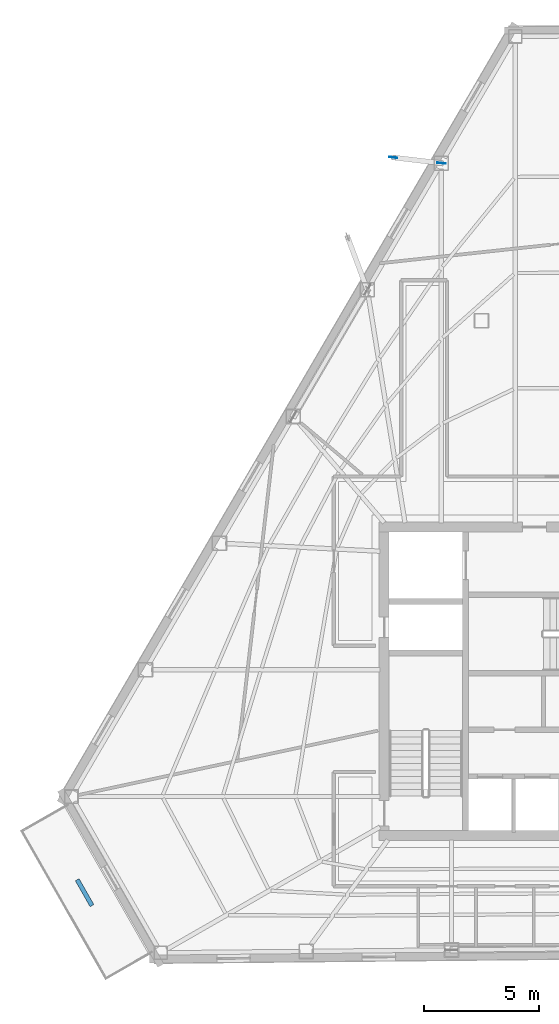
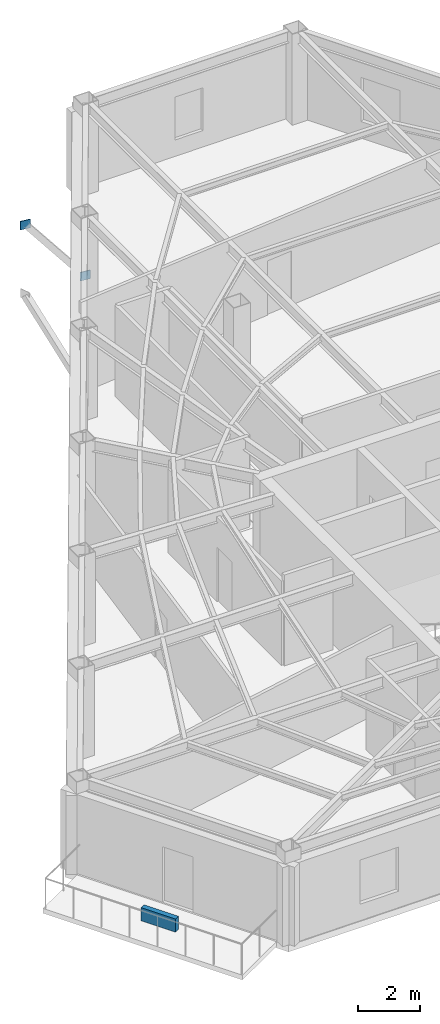
# One storey, part 6 of 11: 2 plates, 1 wall.
"""IFC4 building model written with IfcOpenShell, lengths in metres."""

import ifcopenshell
import ifcopenshell.guid

model = None  # the IFC model being written
_history = None  # IfcOwnerHistory: only IFC2X3 demands one
_inside = {}  # id of a spatial element -> (the spatial element, [elements in it])
_under = {}  # id of a project, library or spatial element -> (it, [spatial elements below it])
_declared = {}  # id of a project -> (the project, [libraries it declares])
_typed = {}  # id of a type object -> (the type object, [elements of that type])
_made_of = {}  # id of a material, layer set ... -> (it, [elements and type objects made of it])


def new_model(schema):
    """Start an empty IFC model of exactly this schema.

    Asked for "IFC4X3", IfcOpenShell would pick the latest addendum, in which some entities
    have other attributes; the version numbers below select the first issue.
    IFC2X3 requires an IfcOwnerHistory on every rooted entity: one is made here for all.
    """
    global model, _history
    if schema == "IFC4X3":
        model = ifcopenshell.file(schema_version=(4, 3, 0, 0))
    else:
        model = ifcopenshell.file(schema=schema)
    _inside.clear()
    _under.clear()
    _declared.clear()
    _typed.clear()
    _made_of.clear()
    _history = None
    if model.schema == "IFC2X3":
        org = make("IfcOrganization", Name="unknown")
        user = make(
            "IfcPersonAndOrganization",
            ThePerson=make("IfcPerson", FamilyName="unknown"),
            TheOrganization=org,
        )
        app = make(
            "IfcApplication",
            ApplicationDeveloper=org,
            Version="unknown",
            ApplicationFullName="unknown",
            ApplicationIdentifier="unknown",
        )
        _history = make(
            "IfcOwnerHistory",
            OwningUser=user,
            OwningApplication=app,
            ChangeAction="ADDED",
            CreationDate=0,
        )
    return model


def make(cls, **values):
    """One entity of the class cls with the attributes given. An attribute that is None is left unset."""
    return model.create_entity(
        cls, **{name: value for name, value in values.items() if value is not None}
    )


def rooted(cls, **values):
    """An entity with a GlobalId (a new one), such as an element, a storey or a relation."""
    return make(cls, GlobalId=ifcopenshell.guid.new(), OwnerHistory=_history, **values)


def si_unit(unit_type, name, prefix=None):
    """IfcSIUnit, for example si_unit("LENGTHUNIT", "METRE", prefix="MILLI")."""
    return make("IfcSIUnit", UnitType=unit_type, Prefix=prefix, Name=name)


def assignment(units):
    """IfcUnitAssignment: the units of a project."""
    return None if units is None else make("IfcUnitAssignment", Units=units)


def point(xyz):
    """IfcCartesianPoint."""
    return None if xyz is None else make("IfcCartesianPoint", Coordinates=xyz)


def direction(xyz):
    """IfcDirection."""
    return None if xyz is None else make("IfcDirection", DirectionRatios=xyz)


def frame(location, z_axis=None, x_axis=None):
    """IfcAxis2Placement3D, a coordinate frame: its origin and axes. An axis left out is left unset."""
    return make(
        "IfcAxis2Placement3D",
        Location=point(location),
        Axis=direction(z_axis),
        RefDirection=direction(x_axis),
    )


def frame_2d(location, x_axis=None):
    """IfcAxis2Placement2D, a coordinate frame in the plane: its origin and x axis."""
    return make(
        "IfcAxis2Placement2D", Location=point(location), RefDirection=direction(x_axis)
    )


def origin():
    """The frame at (0, 0, 0) with its axes left unset."""
    return frame((0.0, 0.0, 0.0))


def origin_2d():
    """The frame at (0, 0) in the plane with its x axis left unset."""
    return frame_2d((0.0, 0.0))


def place(relative_to, where):
    """IfcLocalPlacement: puts the frame where relative to a parent placement (None: the world)."""
    return make(
        "IfcLocalPlacement", PlacementRelTo=relative_to, RelativePlacement=where
    )


def context(
    kind, dimensions, precision=None, world=None, true_north=None, identifier=None
):
    """IfcGeometricRepresentationContext, for example the 3D "Model" context."""
    return make(
        "IfcGeometricRepresentationContext",
        ContextIdentifier=identifier,
        ContextType=kind,
        CoordinateSpaceDimension=dimensions,
        Precision=precision,
        WorldCoordinateSystem=world,
        TrueNorth=true_north,
    )


def subcontext(parent, identifier, kind, view, scale=None):
    """IfcGeometricRepresentationSubContext, for example "Body" below "Model"."""
    return make(
        "IfcGeometricRepresentationSubContext",
        ContextIdentifier=identifier,
        ContextType=kind,
        ParentContext=parent,
        TargetScale=scale,
        TargetView=view,
    )


def project(units=None, contexts=None):
    """IfcProject with its units and contexts."""
    return rooted(
        "IfcProject",
        Name="project",
        RepresentationContexts=contexts,
        UnitsInContext=assignment(units),
    )


def spatial(cls, under=None, at=None, **own):
    """A site, building, storey or space (cls), placed at a placement, below another one or the project."""
    s = rooted(cls, ObjectPlacement=at, **own)
    if under is not None:
        _under.setdefault(under.id(), (under, []))[1].append(s)
    return s


def profile(cls, at=None, kind="AREA", **sizes):
    """A parametric profile (cls). Its sizes go by their IFC names, for example OverallWidth=200.0."""
    return make(cls, ProfileType=kind, Position=at, **sizes)


def rectangle(**sizes):
    """IfcRectangleProfileDef."""
    return profile("IfcRectangleProfileDef", **sizes)


def extrude(swept, where, along, depth):
    """IfcExtrudedAreaSolid: the profile swept, set in the frame where, extruded along a direction by depth."""
    return make(
        "IfcExtrudedAreaSolid",
        SweptArea=swept,
        Position=where,
        ExtrudedDirection=direction(along),
        Depth=depth,
    )


def shape(context_of_items, identifier, shape_type, items):
    """IfcShapeRepresentation: the items that make up one representation, for example the "Body"."""
    return make(
        "IfcShapeRepresentation",
        ContextOfItems=context_of_items,
        RepresentationIdentifier=identifier,
        RepresentationType=shape_type,
        Items=items,
    )


def material(Name=None, Category=None):
    """IfcMaterial."""
    return make("IfcMaterial", Name=Name, Category=Category)


def layer(
    of_material, thickness, ventilated=None, Name=None, Category=None, Priority=None
):
    """IfcMaterialLayer: one layer of a wall or slab, of a material (None: an air gap)."""
    return make(
        "IfcMaterialLayer",
        Material=of_material,
        LayerThickness=thickness,
        IsVentilated=ventilated,
        Name=Name,
        Category=Category,
        Priority=Priority,
    )


def layer_set(layers, Name=None):
    """IfcMaterialLayerSet."""
    return make("IfcMaterialLayerSet", MaterialLayers=layers, LayerSetName=Name)


def made_of(thing, what):
    """Note that an element or type object is made of a material, layer set ...; save() writes the relation."""
    if what is not None:
        _made_of.setdefault(what.id(), (what, []))[1].append(thing)
    return thing


def type_object(cls, material=None, **own):
    """A type object (cls), such as IfcWallType, which elements share."""
    return made_of(rooted(cls, **own), material)


def element(
    cls,
    number,
    at=None,
    inside=None,
    cuts=None,
    type_object=None,
    material=None,
    context=None,
    identifier="Body",
    shape_type=None,
    held_by="IfcProductDefinitionShape",
    body=None,
    shapes=None,
    **own,
):
    """One element of the class cls, such as IfcWall. Its Tag is "e" and its number.

    at: its placement. inside: the storey or other place that contains it. cuts: it is an
    opening in that element (IfcRelVoidsElement). A single representation is given by context,
    identifier, shape_type and body (its items); several are given by shapes. held_by: the class
    of the entity that holds the representations. save() writes the other relations.
    """
    e = rooted(cls, Tag="e%d" % number, ObjectPlacement=at, **own)
    if body is not None:
        shapes = [shape(context, identifier, shape_type, body)]
    if shapes is not None:
        e.Representation = make(held_by, Representations=shapes)
    if inside is not None:
        _inside.setdefault(inside.id(), (inside, []))[1].append(e)
    if cuts is not None:
        rooted(
            "IfcRelVoidsElement", RelatingBuildingElement=cuts, RelatedOpeningElement=e
        )
    if type_object is not None:
        _typed.setdefault(type_object.id(), (type_object, []))[1].append(e)
    return made_of(e, material)


def aggregate(whole, parts):
    """IfcRelAggregates: a whole, such as a stair, and the parts it consists of."""
    return rooted("IfcRelAggregates", RelatingObject=whole, RelatedObjects=parts)


def save(model, path):
    """Write the relations noted so far, then the file.

    IfcRelAggregates (storeys below a building ...), IfcRelContainedInSpatialStructure (elements
    in a storey), IfcRelDefinesByType, IfcRelAssociatesMaterial and IfcRelDeclares: one each for
    every whole, place, type object, material and project.
    """
    for whole, parts in _under.values():
        aggregate(whole, parts)
    for where, things in _inside.values():
        rooted(
            "IfcRelContainedInSpatialStructure",
            RelatedElements=things,
            RelatingStructure=where,
        )
    for kind, things in _typed.values():
        rooted("IfcRelDefinesByType", RelatedObjects=things, RelatingType=kind)
    for what, things in _made_of.values():
        rooted("IfcRelAssociatesMaterial", RelatedObjects=things, RelatingMaterial=what)
    for by, libraries in _declared.values():
        rooted("IfcRelDeclares", RelatingContext=by, RelatedDefinitions=libraries)
    model.write(path)


model = new_model("IFC4")

# Units and contexts
model_context = context("Model", 3, precision=1e-05, world=origin(), true_north=direction((0.0, 1.0)))
body_context = subcontext(model_context, "Body", "Model", "MODEL_VIEW")
ifc_project = project(units=[si_unit("LENGTHUNIT", "METRE"), si_unit("AREAUNIT", "SQUARE_METRE"), si_unit("VOLUMEUNIT", "CUBIC_METRE"), si_unit("PLANEANGLEUNIT", "RADIAN"), si_unit("MASSUNIT", "GRAM", prefix="KILO")], contexts=[model_context])

# Site, building, storey
site_placement = place(None, origin())
site = spatial("IfcSite", under=ifc_project, at=site_placement, CompositionType="ELEMENT")
building_placement = place(site_placement, origin())
building = spatial("IfcBuilding", under=site, at=building_placement, Name="Kavelnor Concourse Tower", CompositionType="ELEMENT")
storey_placement = place(building_placement, frame((0.0, 0.0, 218.89990234375)))
storey = spatial("IfcBuildingStorey", under=building, at=storey_placement, Name="L55", CompositionType="ELEMENT", Elevation=218.89990234375)

# Plates
ifc_material_1 = material(Name="Steel Grade 350", Category="steel")
ifc_layer_1 = layer(ifc_material_1, 0.028076171875, Name="Steel Grade 350")
ifc_layer_set_1 = layer_set([ifc_layer_1], Name="Steel Grade 350")
plate_type = type_object("IfcPlateType", Name="PL-GUSSET-FOLD", PredefinedType="USERDEFINED", material=ifc_layer_set_1)
for number, where, z_axis, x_axis, name in (
    (1, (30.7607421875, 38.663330078125, 0.8798828125), (0.0, 0.0, 1.0), (-0.993109424745, 0.117190744019, 0.0), "L55 Balcony Strut Gusset GP4 2-A End Gusset A"),
    (2, (28.659912109375, 38.9111328125, 3.48486328125), (0.0, 0.0, 1.0), (-0.993109424745, 0.117190744019, 0.0), "L55 Balcony Strut Gusset GP4 2-A End Gusset B"),
):
    element("IfcPlate", number, at=place(storey_placement, frame(where, z_axis=z_axis, x_axis=x_axis)), inside=storey, type_object=plate_type, Name=name, ObjectType="GUSSET_PLATE", PredefinedType="USERDEFINED", context=body_context, shape_type="SweptSolid", body=[
        extrude(rectangle(XDim=0.360107421875, YDim=0.028076171875, at=origin_2d()), origin(), (0.0, 0.0, 1.0), 0.340087890625),
    ])

# Wall
ifc_material_2 = material(Name="Architectural precast planter concrete C40/50", Category="concrete")
ifc_layer_2 = layer(ifc_material_2, 0.18994140625, Name="Architectural precast planter concrete C40/50")
ifc_layer_set_2 = layer_set([ifc_layer_2], Name="Architectural precast planter concrete C40/50")
wall_type = type_object("IfcWallType", Name="WL-PLANTER-KERB-190", PredefinedType="USERDEFINED", material=ifc_layer_set_2)
wall_placement = place(storey_placement, frame((14.893798828125, 7.458251953125, 0.0), z_axis=(0.0, 0.0, 1.0), x_axis=(0.495592788195, -0.868555000152, 0.0)))
element("IfcWall", 3, at=wall_placement, inside=storey, type_object=wall_type, Name="L55 Spiral Terrace Landscaped Planter Kerb", ObjectType="PLANTER", PredefinedType="USERDEFINED", context=body_context, shape_type="SweptSolid", body=[
    extrude(rectangle(XDim=1.300048828125, YDim=0.18994140625, at=frame_2d((0.64990234375, 0.0))), origin(), (0.0, 0.0, 1.0), 0.52001953125),
])

save(model, "model.ifc")
